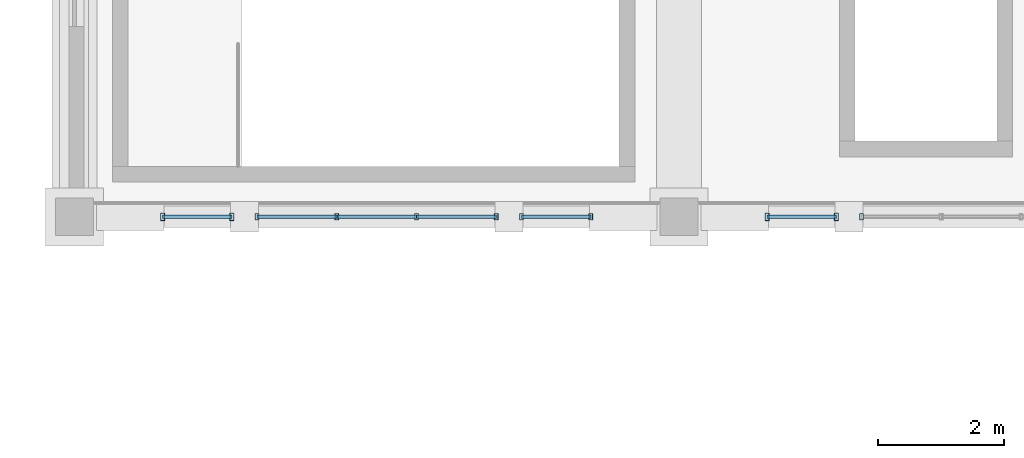
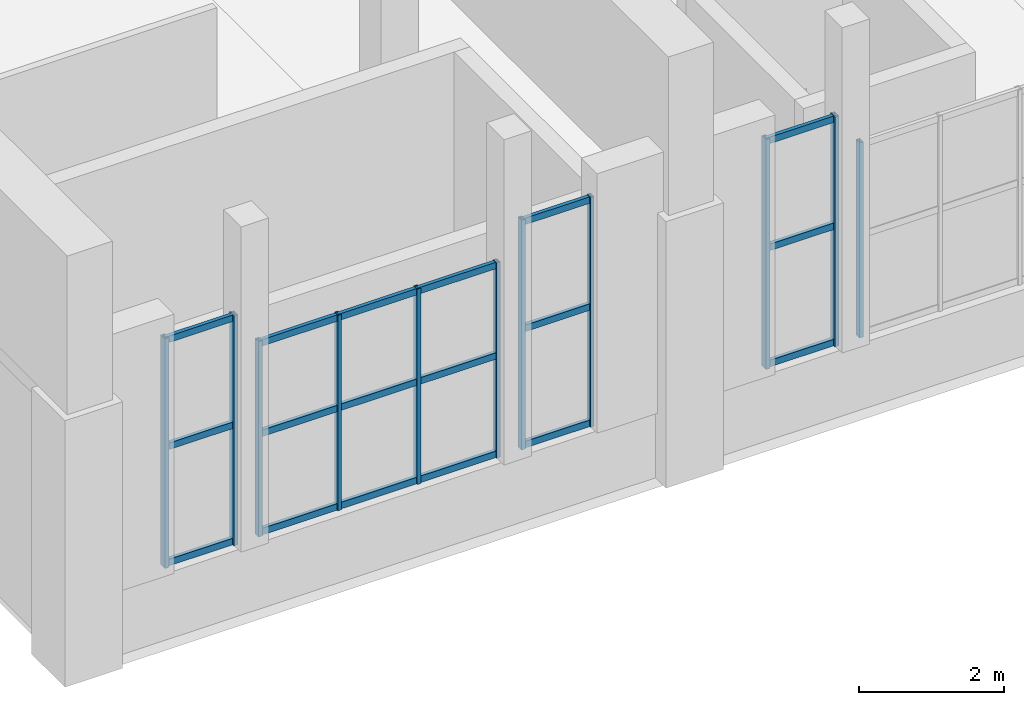
# One storey, part 2 of 46: 29 members, 5 elements without a shape of their own.
"""IFC4 building model written with IfcOpenShell, lengths in metres."""

from ifc_helpers import new_model, si_unit, direction, frame, origin, origin_2d, place, context, subcontext, project, spatial, hollow_rectangle, extrude, material, material_profile, profile_set, type_object, element, aggregate, save


model = new_model("IFC4")

# Units and contexts
model_context = context("Model", 3, precision=1e-05, world=origin(), true_north=direction((0.0, 1.0)))
body_context = subcontext(model_context, "Body", "Model", "MODEL_VIEW")
ifc_project = project(units=[si_unit("LENGTHUNIT", "METRE"), si_unit("AREAUNIT", "SQUARE_METRE"), si_unit("VOLUMEUNIT", "CUBIC_METRE"), si_unit("PLANEANGLEUNIT", "RADIAN"), si_unit("MASSUNIT", "GRAM", prefix="KILO")], contexts=[model_context])

# Site, building, storey
site_placement = place(None, origin())
site = spatial("IfcSite", under=ifc_project, at=site_placement, CompositionType="ELEMENT")
building_placement = place(site_placement, origin())
building = spatial("IfcBuilding", under=site, at=building_placement, Name="Mavantir Sound Aquarium", CompositionType="ELEMENT")
storey_placement = place(building_placement, frame((0.0, 0.0, 15.300048828125)))
storey = spatial("IfcBuildingStorey", under=building, at=storey_placement, Name="L03", CompositionType="ELEMENT", Elevation=15.300048828125)

# Curtain wall, members
ifc_material_1 = material(Name="Anodised Marine Aluminium and Low-E Glass", Category="aluminium")
curtain_wall_type_1 = type_object("IfcCurtainWallType", Name="CW-T22", PredefinedType="USERDEFINED", material=ifc_material_1)
curtain_wall_1_placement = place(storey_placement, origin())
curtain_wall_1 = element("IfcCurtainWall", 1, at=curtain_wall_1_placement, inside=storey, type_object=curtain_wall_type_1, Name="L03 unitised curtain wall CW-22 141", ObjectType="UNITISED GLAZING", PredefinedType="USERDEFINED")
ifc_material_2 = material(Name="Anodised Marine Aluminium 6063-T6", Category="aluminium")
ifc_material_profile_1 = material_profile(ifc_material_2, hollow_rectangle(XDim=0.06005859375, YDim=0.10009765625, WallThickness=0.00390625, at=origin_2d()), Name="ALU-MULLION-100X60")
ifc_profile_set_1 = profile_set([ifc_material_profile_1], Name="Anodised Marine Aluminium 6063-T6")
member_type_1 = type_object("IfcMemberType", Name="CW-MUL-100", PredefinedType="MULLION", material=ifc_profile_set_1)
member_1_placement = place(storey_placement, frame((110.89990234375, 40.800048828125, 1.119873046875), z_axis=(0.0, 0.0, 1.0), x_axis=(1.0, 0.0, 0.0)))
member_1 = element("IfcMember", 2, at=member_1_placement, type_object=member_type_1, Name="CW-DIOC-1S-C vertical mullion 1", PredefinedType="MULLION", context=body_context, shape_type="SweptSolid", body=[
    extrude(hollow_rectangle(XDim=0.06005859375, YDim=0.10009765625, WallThickness=0.00390625, at=origin_2d()), origin(), (0.0, 0.0, 1.0), 3.300048828125),
])
member_2_placement = place(storey_placement, frame((112.166748046875, 40.800048828125, 1.119873046875), z_axis=(0.0, 0.0, 1.0), x_axis=(1.0, 0.0, 0.0)))
member_2 = element("IfcMember", 3, at=member_2_placement, type_object=member_type_1, Name="CW-DIOC-1S-C vertical mullion 2", PredefinedType="MULLION", context=body_context, shape_type="SweptSolid", body=[
    extrude(hollow_rectangle(XDim=0.06005859375, YDim=0.10009765625, WallThickness=0.00390625, at=origin_2d()), origin(), (0.0, 0.0, 1.0), 3.300048828125),
])
member_3_placement = place(storey_placement, frame((113.433349609375, 40.800048828125, 1.119873046875), z_axis=(0.0, 0.0, 1.0), x_axis=(1.0, 0.0, 0.0)))
member_3 = element("IfcMember", 4, at=member_3_placement, type_object=member_type_1, Name="CW-DIOC-1S-C vertical mullion 3", PredefinedType="MULLION", context=body_context, shape_type="SweptSolid", body=[
    extrude(hollow_rectangle(XDim=0.06005859375, YDim=0.10009765625, WallThickness=0.00390625, at=origin_2d()), origin(), (0.0, 0.0, 1.0), 3.300048828125),
])
member_4_placement = place(storey_placement, frame((114.699951171875, 40.800048828125, 1.119873046875), z_axis=(0.0, 0.0, 1.0), x_axis=(1.0, 0.0, 0.0)))
member_4 = element("IfcMember", 5, at=member_4_placement, type_object=member_type_1, Name="CW-DIOC-1S-C vertical mullion 4", PredefinedType="MULLION", context=body_context, shape_type="SweptSolid", body=[
    extrude(hollow_rectangle(XDim=0.06005859375, YDim=0.10009765625, WallThickness=0.00390625, at=origin_2d()), origin(), (0.0, 0.0, 1.0), 3.300048828125),
])

curtain_wall_type_2 = type_object("IfcCurtainWallType", Name="CW-T24", PredefinedType="USERDEFINED", material=ifc_material_1)
curtain_wall_2_placement = place(storey_placement, origin())
curtain_wall_2 = element("IfcCurtainWall", 6, at=curtain_wall_2_placement, inside=storey, type_object=curtain_wall_type_2, Name="L03 unitised curtain wall CW-24 143", ObjectType="UNITISED GLAZING", PredefinedType="USERDEFINED")
member_5_placement = place(storey_placement, frame((115.10009765625, 40.800048828125, 1.119873046875), z_axis=(0.0, 0.0, 1.0), x_axis=(1.0, 0.0, 0.0)))
member_5 = element("IfcMember", 7, at=member_5_placement, type_object=member_type_1, Name="CW-DIOC-1S-R vertical mullion 1", PredefinedType="MULLION", context=body_context, shape_type="SweptSolid", body=[
    extrude(hollow_rectangle(XDim=0.06005859375, YDim=0.10009765625, WallThickness=0.00390625, at=origin_2d()), origin(), (0.0, 0.0, 1.0), 3.880126953125),
])
member_6_placement = place(storey_placement, frame((116.199951171875, 40.800048828125, 1.119873046875), z_axis=(0.0, 0.0, 1.0), x_axis=(1.0, 0.0, 0.0)))
member_6 = element("IfcMember", 8, at=member_6_placement, type_object=member_type_1, Name="CW-DIOC-1S-R vertical mullion 2", PredefinedType="MULLION", context=body_context, shape_type="SweptSolid", body=[
    extrude(hollow_rectangle(XDim=0.06005859375, YDim=0.10009765625, WallThickness=0.00390625, at=origin_2d()), origin(), (0.0, 0.0, 1.0), 3.880126953125),
])

# Curtain wall, member
curtain_wall_type_3 = type_object("IfcCurtainWallType", Name="CW-T04", PredefinedType="USERDEFINED", material=ifc_material_1)
curtain_wall_3_placement = place(storey_placement, origin())
curtain_wall_3 = element("IfcCurtainWall", 9, at=curtain_wall_3_placement, inside=storey, type_object=curtain_wall_type_3, Name="L03 unitised curtain wall CW-04 147", ObjectType="UNITISED GLAZING", PredefinedType="USERDEFINED")
member_7_placement = place(storey_placement, frame((120.5, 40.800048828125, 1.119873046875), z_axis=(0.0, 0.0, 1.0), x_axis=(1.0, 0.0, 0.0)))
member_7 = element("IfcMember", 10, at=member_7_placement, type_object=member_type_1, Name="CW-DIOC-2S-C vertical mullion 1", PredefinedType="MULLION", context=body_context, shape_type="SweptSolid", body=[
    extrude(hollow_rectangle(XDim=0.06005859375, YDim=0.10009765625, WallThickness=0.00390625, at=origin_2d()), origin(), (0.0, 0.0, 1.0), 3.300048828125),
])
aggregate(curtain_wall_3, [member_7])

# Curtain wall, members
curtain_wall_type_4 = type_object("IfcCurtainWallType", Name="CW-T23", PredefinedType="USERDEFINED", material=ifc_material_1)
curtain_wall_4_placement = place(storey_placement, origin())
curtain_wall_4 = element("IfcCurtainWall", 11, at=curtain_wall_4_placement, inside=storey, type_object=curtain_wall_type_4, Name="L03 unitised curtain wall CW-23 142", ObjectType="UNITISED GLAZING", PredefinedType="USERDEFINED")
ifc_material_profile_2 = material_profile(ifc_material_2, hollow_rectangle(XDim=0.06494140625, YDim=0.1201171875, WallThickness=0.00390625, at=origin_2d()), Name="ALU-MULLION-120X65")
ifc_profile_set_2 = profile_set([ifc_material_profile_2], Name="Anodised Marine Aluminium 6063-T6")
member_type_2 = type_object("IfcMemberType", Name="CW-MUL-120", PredefinedType="MULLION", material=ifc_profile_set_2)
member_8_placement = place(storey_placement, frame((109.39990234375, 40.800048828125, 1.119873046875), z_axis=(0.0, 0.0, 1.0), x_axis=(1.0, 0.0, 0.0)))
member_8 = element("IfcMember", 12, at=member_8_placement, type_object=member_type_2, Name="CW-DIOC-1S-L vertical mullion 1", PredefinedType="MULLION", context=body_context, shape_type="SweptSolid", body=[
    extrude(hollow_rectangle(XDim=0.06494140625, YDim=0.1201171875, WallThickness=0.00390625, at=origin_2d()), origin(), (0.0, 0.0, 1.0), 3.880126953125),
])
member_9_placement = place(storey_placement, frame((110.5, 40.800048828125, 1.119873046875), z_axis=(0.0, 0.0, 1.0), x_axis=(1.0, 0.0, 0.0)))
member_9 = element("IfcMember", 13, at=member_9_placement, type_object=member_type_2, Name="CW-DIOC-1S-L vertical mullion 2", PredefinedType="MULLION", context=body_context, shape_type="SweptSolid", body=[
    extrude(hollow_rectangle(XDim=0.06494140625, YDim=0.1201171875, WallThickness=0.00390625, at=origin_2d()), origin(), (0.0, 0.0, 1.0), 3.880126953125),
])

curtain_wall_type_5 = type_object("IfcCurtainWallType", Name="CW-T05", PredefinedType="USERDEFINED", material=ifc_material_1)
curtain_wall_5_placement = place(storey_placement, origin())
curtain_wall_5 = element("IfcCurtainWall", 14, at=curtain_wall_5_placement, inside=storey, type_object=curtain_wall_type_5, Name="L03 unitised curtain wall CW-05 148", ObjectType="UNITISED GLAZING", PredefinedType="USERDEFINED")
member_10_placement = place(storey_placement, frame((119.0, 40.800048828125, 1.119873046875), z_axis=(0.0, 0.0, 1.0), x_axis=(1.0, 0.0, 0.0)))
member_10 = element("IfcMember", 15, at=member_10_placement, type_object=member_type_2, Name="CW-DIOC-2S-L vertical mullion 1", PredefinedType="MULLION", context=body_context, shape_type="SweptSolid", body=[
    extrude(hollow_rectangle(XDim=0.06494140625, YDim=0.1201171875, WallThickness=0.00390625, at=origin_2d()), origin(), (0.0, 0.0, 1.0), 3.880126953125),
])
member_11_placement = place(storey_placement, frame((120.10009765625, 40.800048828125, 1.119873046875), z_axis=(0.0, 0.0, 1.0), x_axis=(1.0, 0.0, 0.0)))
member_11 = element("IfcMember", 16, at=member_11_placement, type_object=member_type_2, Name="CW-DIOC-2S-L vertical mullion 2", PredefinedType="MULLION", context=body_context, shape_type="SweptSolid", body=[
    extrude(hollow_rectangle(XDim=0.06494140625, YDim=0.1201171875, WallThickness=0.00390625, at=origin_2d()), origin(), (0.0, 0.0, 1.0), 3.880126953125),
])

# Member
ifc_material_profile_3 = material_profile(ifc_material_2, hollow_rectangle(XDim=0.06005859375, YDim=0.110107421875, WallThickness=0.00390625, at=origin_2d()), Name="ALU-TRANSOM-110X60")
ifc_profile_set_3 = profile_set([ifc_material_profile_3], Name="Anodised Marine Aluminium 6063-T6")
member_type_3 = type_object("IfcMemberType", Name="CW-TRN-110", PredefinedType="USERDEFINED", material=ifc_profile_set_3)
member_12_placement = place(storey_placement, frame((110.89990234375, 40.800048828125, 1.175048828125), z_axis=(1.0, 0.0, 0.0), x_axis=(0.0, 1.0, 0.0)))
member_12 = element("IfcMember", 17, at=member_12_placement, type_object=member_type_3, Name="CW-DIOC-1S-C transom 1.1", ObjectType="TRANSOM", PredefinedType="USERDEFINED", context=body_context, shape_type="SweptSolid", body=[
    extrude(hollow_rectangle(XDim=0.06005859375, YDim=0.110107421875, WallThickness=0.00390625, at=origin_2d()), origin(), (0.0, 0.0, 1.0), 1.266845703125),
])

member_13_placement = place(storey_placement, frame((110.89990234375, 40.800048828125, 2.8359375), z_axis=(1.0, 0.0, 0.0), x_axis=(0.0, 1.0, 0.0)))
member_13 = element("IfcMember", 18, at=member_13_placement, type_object=member_type_3, Name="CW-DIOC-1S-C transom 1.2", ObjectType="TRANSOM", PredefinedType="USERDEFINED", context=body_context, shape_type="SweptSolid", body=[
    extrude(hollow_rectangle(XDim=0.06005859375, YDim=0.110107421875, WallThickness=0.00390625, at=origin_2d()), origin(), (0.0, 0.0, 1.0), 1.266845703125),
])

member_14_placement = place(storey_placement, frame((110.89990234375, 40.800048828125, 4.364990234375), z_axis=(1.0, 0.0, 0.0), x_axis=(0.0, 1.0, 0.0)))
member_14 = element("IfcMember", 19, at=member_14_placement, type_object=member_type_3, Name="CW-DIOC-1S-C transom 1.3", ObjectType="TRANSOM", PredefinedType="USERDEFINED", context=body_context, shape_type="SweptSolid", body=[
    extrude(hollow_rectangle(XDim=0.06005859375, YDim=0.110107421875, WallThickness=0.00390625, at=origin_2d()), origin(), (0.0, 0.0, 1.0), 1.266845703125),
])

member_15_placement = place(storey_placement, frame((112.166748046875, 40.800048828125, 1.175048828125), z_axis=(1.0, 0.0, 0.0), x_axis=(0.0, 1.0, 0.0)))
member_15 = element("IfcMember", 20, at=member_15_placement, type_object=member_type_3, Name="CW-DIOC-1S-C transom 2.1", ObjectType="TRANSOM", PredefinedType="USERDEFINED", context=body_context, shape_type="SweptSolid", body=[
    extrude(hollow_rectangle(XDim=0.06005859375, YDim=0.110107421875, WallThickness=0.00390625, at=origin_2d()), origin(), (0.0, 0.0, 1.0), 1.2666015625),
])

member_16_placement = place(storey_placement, frame((112.166748046875, 40.800048828125, 2.8359375), z_axis=(1.0, 0.0, 0.0), x_axis=(0.0, 1.0, 0.0)))
member_16 = element("IfcMember", 21, at=member_16_placement, type_object=member_type_3, Name="CW-DIOC-1S-C transom 2.2", ObjectType="TRANSOM", PredefinedType="USERDEFINED", context=body_context, shape_type="SweptSolid", body=[
    extrude(hollow_rectangle(XDim=0.06005859375, YDim=0.110107421875, WallThickness=0.00390625, at=origin_2d()), origin(), (0.0, 0.0, 1.0), 1.2666015625),
])

member_17_placement = place(storey_placement, frame((112.166748046875, 40.800048828125, 4.364990234375), z_axis=(1.0, 0.0, 0.0), x_axis=(0.0, 1.0, 0.0)))
member_17 = element("IfcMember", 22, at=member_17_placement, type_object=member_type_3, Name="CW-DIOC-1S-C transom 2.3", ObjectType="TRANSOM", PredefinedType="USERDEFINED", context=body_context, shape_type="SweptSolid", body=[
    extrude(hollow_rectangle(XDim=0.06005859375, YDim=0.110107421875, WallThickness=0.00390625, at=origin_2d()), origin(), (0.0, 0.0, 1.0), 1.2666015625),
])

member_18_placement = place(storey_placement, frame((113.433349609375, 40.800048828125, 1.175048828125), z_axis=(1.0, 0.0, 0.0), x_axis=(0.0, 1.0, 0.0)))
member_18 = element("IfcMember", 23, at=member_18_placement, type_object=member_type_3, Name="CW-DIOC-1S-C transom 3.1", ObjectType="TRANSOM", PredefinedType="USERDEFINED", context=body_context, shape_type="SweptSolid", body=[
    extrude(hollow_rectangle(XDim=0.06005859375, YDim=0.110107421875, WallThickness=0.00390625, at=origin_2d()), origin(), (0.0, 0.0, 1.0), 1.2666015625),
])

member_19_placement = place(storey_placement, frame((113.433349609375, 40.800048828125, 2.8359375), z_axis=(1.0, 0.0, 0.0), x_axis=(0.0, 1.0, 0.0)))
member_19 = element("IfcMember", 24, at=member_19_placement, type_object=member_type_3, Name="CW-DIOC-1S-C transom 3.2", ObjectType="TRANSOM", PredefinedType="USERDEFINED", context=body_context, shape_type="SweptSolid", body=[
    extrude(hollow_rectangle(XDim=0.06005859375, YDim=0.110107421875, WallThickness=0.00390625, at=origin_2d()), origin(), (0.0, 0.0, 1.0), 1.2666015625),
])

member_20_placement = place(storey_placement, frame((113.433349609375, 40.800048828125, 4.364990234375), z_axis=(1.0, 0.0, 0.0), x_axis=(0.0, 1.0, 0.0)))
member_20 = element("IfcMember", 25, at=member_20_placement, type_object=member_type_3, Name="CW-DIOC-1S-C transom 3.3", ObjectType="TRANSOM", PredefinedType="USERDEFINED", context=body_context, shape_type="SweptSolid", body=[
    extrude(hollow_rectangle(XDim=0.06005859375, YDim=0.110107421875, WallThickness=0.00390625, at=origin_2d()), origin(), (0.0, 0.0, 1.0), 1.2666015625),
])

aggregate(curtain_wall_1, [member_1, member_2, member_3, member_4, member_12, member_13, member_14, member_15, member_16, member_17, member_18, member_19, member_20])

member_21_placement = place(storey_placement, frame((109.39990234375, 40.800048828125, 1.175048828125), z_axis=(1.0, 0.0, 0.0), x_axis=(0.0, 1.0, 0.0)))
member_21 = element("IfcMember", 26, at=member_21_placement, type_object=member_type_3, Name="CW-DIOC-1S-L transom 1.1", ObjectType="TRANSOM", PredefinedType="USERDEFINED", context=body_context, shape_type="SweptSolid", body=[
    extrude(hollow_rectangle(XDim=0.06005859375, YDim=0.110107421875, WallThickness=0.00390625, at=origin_2d()), origin(), (0.0, 0.0, 1.0), 1.10009765625),
])

member_22_placement = place(storey_placement, frame((109.39990234375, 40.800048828125, 3.137451171875), z_axis=(1.0, 0.0, 0.0), x_axis=(0.0, 1.0, 0.0)))
member_22 = element("IfcMember", 27, at=member_22_placement, type_object=member_type_3, Name="CW-DIOC-1S-L transom 1.2", ObjectType="TRANSOM", PredefinedType="USERDEFINED", context=body_context, shape_type="SweptSolid", body=[
    extrude(hollow_rectangle(XDim=0.06005859375, YDim=0.110107421875, WallThickness=0.00390625, at=origin_2d()), origin(), (0.0, 0.0, 1.0), 1.10009765625),
])

member_23_placement = place(storey_placement, frame((109.39990234375, 40.800048828125, 4.945068359375), z_axis=(1.0, 0.0, 0.0), x_axis=(0.0, 1.0, 0.0)))
member_23 = element("IfcMember", 28, at=member_23_placement, type_object=member_type_3, Name="CW-DIOC-1S-L transom 1.3", ObjectType="TRANSOM", PredefinedType="USERDEFINED", context=body_context, shape_type="SweptSolid", body=[
    extrude(hollow_rectangle(XDim=0.06005859375, YDim=0.110107421875, WallThickness=0.00390625, at=origin_2d()), origin(), (0.0, 0.0, 1.0), 1.10009765625),
])

aggregate(curtain_wall_4, [member_8, member_9, member_21, member_22, member_23])

member_24_placement = place(storey_placement, frame((115.10009765625, 40.800048828125, 1.175048828125), z_axis=(1.0, 0.0, 0.0), x_axis=(0.0, 1.0, 0.0)))
member_24 = element("IfcMember", 29, at=member_24_placement, type_object=member_type_3, Name="CW-DIOC-1S-R transom 1.1", ObjectType="TRANSOM", PredefinedType="USERDEFINED", context=body_context, shape_type="SweptSolid", body=[
    extrude(hollow_rectangle(XDim=0.06005859375, YDim=0.110107421875, WallThickness=0.00390625, at=origin_2d()), origin(), (0.0, 0.0, 1.0), 1.099853515625),
])

member_25_placement = place(storey_placement, frame((115.10009765625, 40.800048828125, 3.137451171875), z_axis=(1.0, 0.0, 0.0), x_axis=(0.0, 1.0, 0.0)))
member_25 = element("IfcMember", 30, at=member_25_placement, type_object=member_type_3, Name="CW-DIOC-1S-R transom 1.2", ObjectType="TRANSOM", PredefinedType="USERDEFINED", context=body_context, shape_type="SweptSolid", body=[
    extrude(hollow_rectangle(XDim=0.06005859375, YDim=0.110107421875, WallThickness=0.00390625, at=origin_2d()), origin(), (0.0, 0.0, 1.0), 1.099853515625),
])

member_26_placement = place(storey_placement, frame((115.10009765625, 40.800048828125, 4.945068359375), z_axis=(1.0, 0.0, 0.0), x_axis=(0.0, 1.0, 0.0)))
member_26 = element("IfcMember", 31, at=member_26_placement, type_object=member_type_3, Name="CW-DIOC-1S-R transom 1.3", ObjectType="TRANSOM", PredefinedType="USERDEFINED", context=body_context, shape_type="SweptSolid", body=[
    extrude(hollow_rectangle(XDim=0.06005859375, YDim=0.110107421875, WallThickness=0.00390625, at=origin_2d()), origin(), (0.0, 0.0, 1.0), 1.099853515625),
])

aggregate(curtain_wall_2, [member_5, member_6, member_24, member_25, member_26])

member_27_placement = place(storey_placement, frame((119.0, 40.800048828125, 1.175048828125), z_axis=(1.0, 0.0, 0.0), x_axis=(0.0, 1.0, 0.0)))
member_27 = element("IfcMember", 32, at=member_27_placement, type_object=member_type_3, Name="CW-DIOC-2S-L transom 1.1", ObjectType="TRANSOM", PredefinedType="USERDEFINED", context=body_context, shape_type="SweptSolid", body=[
    extrude(hollow_rectangle(XDim=0.06005859375, YDim=0.110107421875, WallThickness=0.00390625, at=origin_2d()), origin(), (0.0, 0.0, 1.0), 1.10009765625),
])

member_28_placement = place(storey_placement, frame((119.0, 40.800048828125, 3.137451171875), z_axis=(1.0, 0.0, 0.0), x_axis=(0.0, 1.0, 0.0)))
member_28 = element("IfcMember", 33, at=member_28_placement, type_object=member_type_3, Name="CW-DIOC-2S-L transom 1.2", ObjectType="TRANSOM", PredefinedType="USERDEFINED", context=body_context, shape_type="SweptSolid", body=[
    extrude(hollow_rectangle(XDim=0.06005859375, YDim=0.110107421875, WallThickness=0.00390625, at=origin_2d()), origin(), (0.0, 0.0, 1.0), 1.10009765625),
])

member_29_placement = place(storey_placement, frame((119.0, 40.800048828125, 4.945068359375), z_axis=(1.0, 0.0, 0.0), x_axis=(0.0, 1.0, 0.0)))
member_29 = element("IfcMember", 34, at=member_29_placement, type_object=member_type_3, Name="CW-DIOC-2S-L transom 1.3", ObjectType="TRANSOM", PredefinedType="USERDEFINED", context=body_context, shape_type="SweptSolid", body=[
    extrude(hollow_rectangle(XDim=0.06005859375, YDim=0.110107421875, WallThickness=0.00390625, at=origin_2d()), origin(), (0.0, 0.0, 1.0), 1.10009765625),
])

aggregate(curtain_wall_5, [member_10, member_11, member_27, member_28, member_29])

save(model, "model.ifc")
